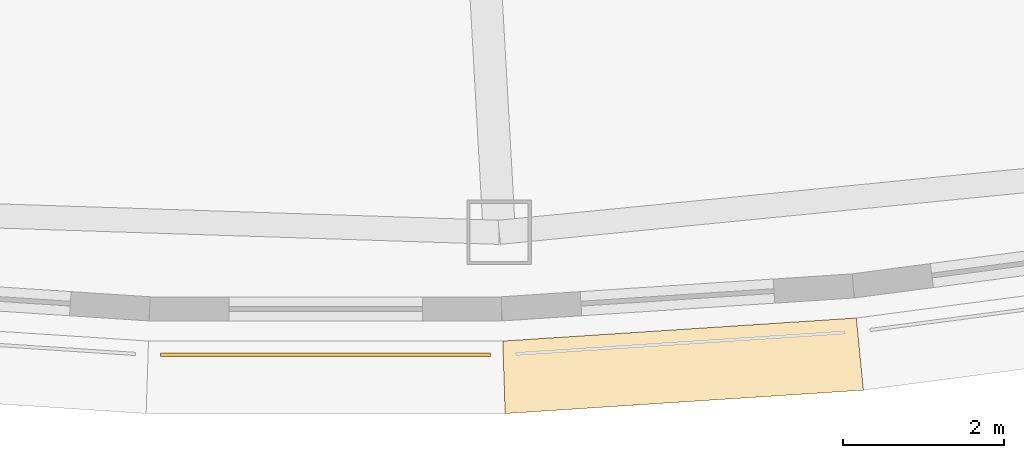
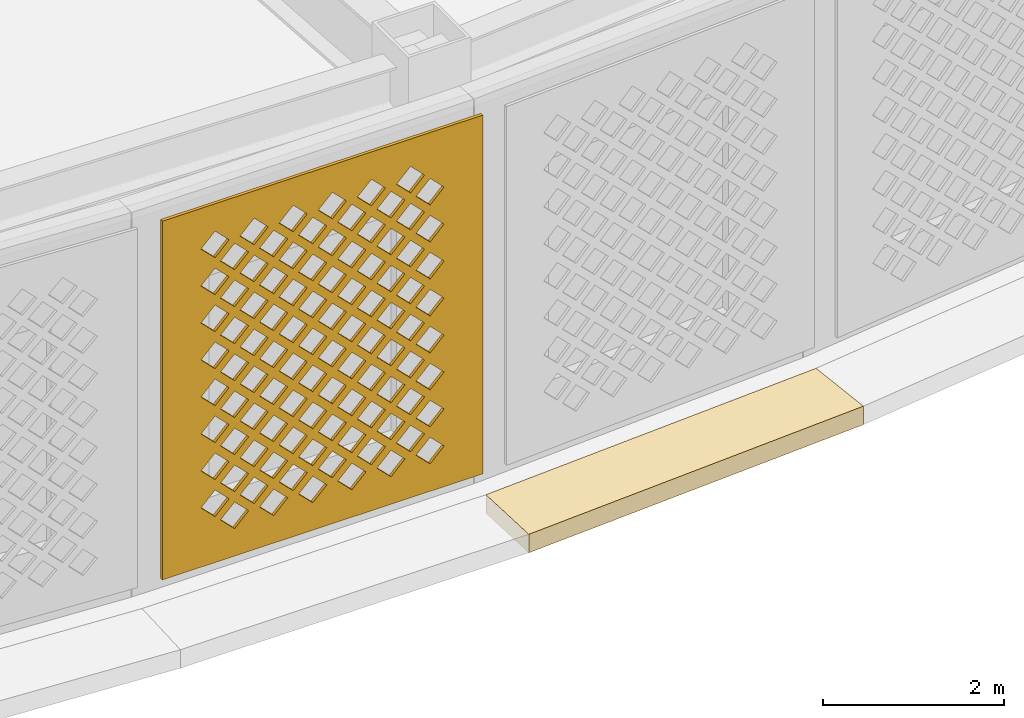
# One storey, part 47 of 63: 2 coverings.
"""IFC4 building model written with IfcOpenShell, lengths in metres."""

from ifc_helpers import new_model, si_unit, direction, frame, origin, place, context, subcontext, project, spatial, polyline, outline, extrude, material, layer, layer_set, type_object, element, save


model = new_model("IFC4")

# Units and contexts
model_context = context("Model", 3, precision=1e-05, world=origin(), true_north=direction((0.0, 1.0)))
body_context = subcontext(model_context, "Body", "Model", "MODEL_VIEW")
ifc_project = project(units=[si_unit("LENGTHUNIT", "METRE"), si_unit("AREAUNIT", "SQUARE_METRE"), si_unit("VOLUMEUNIT", "CUBIC_METRE"), si_unit("PLANEANGLEUNIT", "RADIAN"), si_unit("MASSUNIT", "GRAM", prefix="KILO")], contexts=[model_context])

# Site, building, storey
site_placement = place(None, origin())
site = spatial("IfcSite", under=ifc_project, at=site_placement, CompositionType="ELEMENT")
building_placement = place(site_placement, origin())
building = spatial("IfcBuilding", under=site, at=building_placement, Name="Noorbagh Ring Tower", CompositionType="ELEMENT")
storey_placement = place(building_placement, frame((0.0, 0.0, 25.0)))
storey = spatial("IfcBuildingStorey", under=building, at=storey_placement, Name="L04", CompositionType="ELEMENT", Elevation=25.0)

# Coverings
ifc_material_1 = material(Name="Red sandstone eave", Category="masonry")
covering_type_1 = type_object("IfcCoveringType", Name="STY-CHHAJJA", PredefinedType="USERDEFINED", material=ifc_material_1)
covering_1_placement = place(storey_placement, frame((0.0, 0.0, -0.25)))
element("IfcCovering", 1, at=covering_1_placement, inside=storey, type_object=covering_type_1, Name="Chhajja eave", ObjectType="CHHAJJA", PredefinedType="USERDEFINED", context=body_context, shape_type="SweptSolid", body=[
    extrude(outline(polyline([(2.198486328125, -39.964111328125), (6.586181640625, -39.677978515625), (6.67431640625, -40.573974609375), (2.227783203125, -40.8642578125), (2.198486328125, -39.964111328125)])), origin(), (0.0, 0.0, 1.0), 0.25),
])
ifc_material_2 = material(Name="Red sandstone jali", Category="masonry")
ifc_layer = layer(ifc_material_2, 0.0400390625)
ifc_layer_set = layer_set([ifc_layer], Name="Red sandstone jali")
covering_type_2 = type_object("IfcCoveringType", Name="STY-JALI", PredefinedType="USERDEFINED", material=ifc_layer_set)
covering_2_placement = place(storey_placement, frame((-2.048583984375, -40.154296875, 0.449951171875), z_axis=(0.0, -1.0, 0.0), x_axis=(1.0, 0.0, 0.0)))
element("IfcCovering", 2, at=covering_2_placement, inside=storey, type_object=covering_type_2, Name="Jali screen", ObjectType="SCREEN", PredefinedType="USERDEFINED", context=body_context, shape_type="SweptSolid", body=[
    extrude(outline(polyline([(0.0, 0.0), (4.09716796875, 0.0), (4.09716796875, 4.85009765625), (0.0, 4.85009765625), (0.0, 0.0)]), holes=[polyline([(0.743408203125, 0.550048828125), (0.923583984375, 0.3701171875), (1.103515625, 0.550048828125), (0.923583984375, 0.72998046875), (0.743408203125, 0.550048828125)]), polyline([(1.243408203125, 0.550048828125), (1.423583984375, 0.3701171875), (1.603515625, 0.550048828125), (1.423583984375, 0.72998046875), (1.243408203125, 0.550048828125)]), polyline([(1.743408203125, 0.550048828125), (1.923583984375, 0.3701171875), (2.103515625, 0.550048828125), (1.923583984375, 0.72998046875), (1.743408203125, 0.550048828125)]), polyline([(2.243408203125, 0.550048828125), (2.423583984375, 0.3701171875), (2.603515625, 0.550048828125), (2.423583984375, 0.72998046875), (2.243408203125, 0.550048828125)]), polyline([(2.743408203125, 0.550048828125), (2.923583984375, 0.3701171875), (3.103515625, 0.550048828125), (2.923583984375, 0.72998046875), (2.743408203125, 0.550048828125)]), polyline([(3.243408203125, 0.550048828125), (3.423583984375, 0.3701171875), (3.603515625, 0.550048828125), (3.423583984375, 0.72998046875), (3.243408203125, 0.550048828125)]), polyline([(0.493408203125, 0.800048828125), (0.673583984375, 0.6201171875), (0.853515625, 0.800048828125), (0.673583984375, 0.97998046875), (0.493408203125, 0.800048828125)]), polyline([(0.993408203125, 0.800048828125), (1.173583984375, 0.6201171875), (1.353515625, 0.800048828125), (1.173583984375, 0.97998046875), (0.993408203125, 0.800048828125)]), polyline([(1.493408203125, 0.800048828125), (1.673583984375, 0.6201171875), (1.853515625, 0.800048828125), (1.673583984375, 0.97998046875), (1.493408203125, 0.800048828125)]), polyline([(1.993408203125, 0.800048828125), (2.173583984375, 0.6201171875), (2.353515625, 0.800048828125), (2.173583984375, 0.97998046875), (1.993408203125, 0.800048828125)]), polyline([(2.493408203125, 0.800048828125), (2.673583984375, 0.6201171875), (2.853515625, 0.800048828125), (2.673583984375, 0.97998046875), (2.493408203125, 0.800048828125)]), polyline([(2.993408203125, 0.800048828125), (3.173583984375, 0.6201171875), (3.353515625, 0.800048828125), (3.173583984375, 0.97998046875), (2.993408203125, 0.800048828125)]), polyline([(0.743408203125, 1.050048828125), (0.923583984375, 0.8701171875), (1.103515625, 1.050048828125), (0.923583984375, 1.22998046875), (0.743408203125, 1.050048828125)]), polyline([(1.243408203125, 1.050048828125), (1.423583984375, 0.8701171875), (1.603515625, 1.050048828125), (1.423583984375, 1.22998046875), (1.243408203125, 1.050048828125)]), polyline([(1.743408203125, 1.050048828125), (1.923583984375, 0.8701171875), (2.103515625, 1.050048828125), (1.923583984375, 1.22998046875), (1.743408203125, 1.050048828125)]), polyline([(2.243408203125, 1.050048828125), (2.423583984375, 0.8701171875), (2.603515625, 1.050048828125), (2.423583984375, 1.22998046875), (2.243408203125, 1.050048828125)]), polyline([(2.743408203125, 1.050048828125), (2.923583984375, 0.8701171875), (3.103515625, 1.050048828125), (2.923583984375, 1.22998046875), (2.743408203125, 1.050048828125)]), polyline([(3.243408203125, 1.050048828125), (3.423583984375, 0.8701171875), (3.603515625, 1.050048828125), (3.423583984375, 1.22998046875), (3.243408203125, 1.050048828125)]), polyline([(0.493408203125, 1.300048828125), (0.673583984375, 1.1201171875), (0.853515625, 1.300048828125), (0.673583984375, 1.47998046875), (0.493408203125, 1.300048828125)]), polyline([(0.993408203125, 1.300048828125), (1.173583984375, 1.1201171875), (1.353515625, 1.300048828125), (1.173583984375, 1.47998046875), (0.993408203125, 1.300048828125)]), polyline([(1.493408203125, 1.300048828125), (1.673583984375, 1.1201171875), (1.853515625, 1.300048828125), (1.673583984375, 1.47998046875), (1.493408203125, 1.300048828125)]), polyline([(1.993408203125, 1.300048828125), (2.173583984375, 1.1201171875), (2.353515625, 1.300048828125), (2.173583984375, 1.47998046875), (1.993408203125, 1.300048828125)]), polyline([(2.493408203125, 1.300048828125), (2.673583984375, 1.1201171875), (2.853515625, 1.300048828125), (2.673583984375, 1.47998046875), (2.493408203125, 1.300048828125)]), polyline([(2.993408203125, 1.300048828125), (3.173583984375, 1.1201171875), (3.353515625, 1.300048828125), (3.173583984375, 1.47998046875), (2.993408203125, 1.300048828125)]), polyline([(0.743408203125, 1.550048828125), (0.923583984375, 1.3701171875), (1.103515625, 1.550048828125), (0.923583984375, 1.72998046875), (0.743408203125, 1.550048828125)]), polyline([(1.243408203125, 1.550048828125), (1.423583984375, 1.3701171875), (1.603515625, 1.550048828125), (1.423583984375, 1.72998046875), (1.243408203125, 1.550048828125)]), polyline([(1.743408203125, 1.550048828125), (1.923583984375, 1.3701171875), (2.103515625, 1.550048828125), (1.923583984375, 1.72998046875), (1.743408203125, 1.550048828125)]), polyline([(2.243408203125, 1.550048828125), (2.423583984375, 1.3701171875), (2.603515625, 1.550048828125), (2.423583984375, 1.72998046875), (2.243408203125, 1.550048828125)]), polyline([(2.743408203125, 1.550048828125), (2.923583984375, 1.3701171875), (3.103515625, 1.550048828125), (2.923583984375, 1.72998046875), (2.743408203125, 1.550048828125)]), polyline([(3.243408203125, 1.550048828125), (3.423583984375, 1.3701171875), (3.603515625, 1.550048828125), (3.423583984375, 1.72998046875), (3.243408203125, 1.550048828125)]), polyline([(0.493408203125, 1.800048828125), (0.673583984375, 1.6201171875), (0.853515625, 1.800048828125), (0.673583984375, 1.97998046875), (0.493408203125, 1.800048828125)]), polyline([(0.993408203125, 1.800048828125), (1.173583984375, 1.6201171875), (1.353515625, 1.800048828125), (1.173583984375, 1.97998046875), (0.993408203125, 1.800048828125)]), polyline([(1.493408203125, 1.800048828125), (1.673583984375, 1.6201171875), (1.853515625, 1.800048828125), (1.673583984375, 1.97998046875), (1.493408203125, 1.800048828125)]), polyline([(1.993408203125, 1.800048828125), (2.173583984375, 1.6201171875), (2.353515625, 1.800048828125), (2.173583984375, 1.97998046875), (1.993408203125, 1.800048828125)]), polyline([(2.493408203125, 1.800048828125), (2.673583984375, 1.6201171875), (2.853515625, 1.800048828125), (2.673583984375, 1.97998046875), (2.493408203125, 1.800048828125)]), polyline([(2.993408203125, 1.800048828125), (3.173583984375, 1.6201171875), (3.353515625, 1.800048828125), (3.173583984375, 1.97998046875), (2.993408203125, 1.800048828125)]), polyline([(0.743408203125, 2.050048828125), (0.923583984375, 1.8701171875), (1.103515625, 2.050048828125), (0.923583984375, 2.22998046875), (0.743408203125, 2.050048828125)]), polyline([(1.243408203125, 2.050048828125), (1.423583984375, 1.8701171875), (1.603515625, 2.050048828125), (1.423583984375, 2.22998046875), (1.243408203125, 2.050048828125)]), polyline([(1.743408203125, 2.050048828125), (1.923583984375, 1.8701171875), (2.103515625, 2.050048828125), (1.923583984375, 2.22998046875), (1.743408203125, 2.050048828125)]), polyline([(2.243408203125, 2.050048828125), (2.423583984375, 1.8701171875), (2.603515625, 2.050048828125), (2.423583984375, 2.22998046875), (2.243408203125, 2.050048828125)]), polyline([(2.743408203125, 2.050048828125), (2.923583984375, 1.8701171875), (3.103515625, 2.050048828125), (2.923583984375, 2.22998046875), (2.743408203125, 2.050048828125)]), polyline([(3.243408203125, 2.050048828125), (3.423583984375, 1.8701171875), (3.603515625, 2.050048828125), (3.423583984375, 2.22998046875), (3.243408203125, 2.050048828125)]), polyline([(0.493408203125, 2.300048828125), (0.673583984375, 2.1201171875), (0.853515625, 2.300048828125), (0.673583984375, 2.47998046875), (0.493408203125, 2.300048828125)]), polyline([(0.993408203125, 2.300048828125), (1.173583984375, 2.1201171875), (1.353515625, 2.300048828125), (1.173583984375, 2.47998046875), (0.993408203125, 2.300048828125)]), polyline([(1.493408203125, 2.300048828125), (1.673583984375, 2.1201171875), (1.853515625, 2.300048828125), (1.673583984375, 2.47998046875), (1.493408203125, 2.300048828125)]), polyline([(1.993408203125, 2.300048828125), (2.173583984375, 2.1201171875), (2.353515625, 2.300048828125), (2.173583984375, 2.47998046875), (1.993408203125, 2.300048828125)]), polyline([(2.493408203125, 2.300048828125), (2.673583984375, 2.1201171875), (2.853515625, 2.300048828125), (2.673583984375, 2.47998046875), (2.493408203125, 2.300048828125)]), polyline([(2.993408203125, 2.300048828125), (3.173583984375, 2.1201171875), (3.353515625, 2.300048828125), (3.173583984375, 2.47998046875), (2.993408203125, 2.300048828125)]), polyline([(0.743408203125, 2.550048828125), (0.923583984375, 2.3701171875), (1.103515625, 2.550048828125), (0.923583984375, 2.72998046875), (0.743408203125, 2.550048828125)]), polyline([(1.243408203125, 2.550048828125), (1.423583984375, 2.3701171875), (1.603515625, 2.550048828125), (1.423583984375, 2.72998046875), (1.243408203125, 2.550048828125)]), polyline([(1.743408203125, 2.550048828125), (1.923583984375, 2.3701171875), (2.103515625, 2.550048828125), (1.923583984375, 2.72998046875), (1.743408203125, 2.550048828125)]), polyline([(2.243408203125, 2.550048828125), (2.423583984375, 2.3701171875), (2.603515625, 2.550048828125), (2.423583984375, 2.72998046875), (2.243408203125, 2.550048828125)]), polyline([(2.743408203125, 2.550048828125), (2.923583984375, 2.3701171875), (3.103515625, 2.550048828125), (2.923583984375, 2.72998046875), (2.743408203125, 2.550048828125)]), polyline([(3.243408203125, 2.550048828125), (3.423583984375, 2.3701171875), (3.603515625, 2.550048828125), (3.423583984375, 2.72998046875), (3.243408203125, 2.550048828125)]), polyline([(0.493408203125, 2.800048828125), (0.673583984375, 2.6201171875), (0.853515625, 2.800048828125), (0.673583984375, 2.97998046875), (0.493408203125, 2.800048828125)]), polyline([(0.993408203125, 2.800048828125), (1.173583984375, 2.6201171875), (1.353515625, 2.800048828125), (1.173583984375, 2.97998046875), (0.993408203125, 2.800048828125)]), polyline([(1.493408203125, 2.800048828125), (1.673583984375, 2.6201171875), (1.853515625, 2.800048828125), (1.673583984375, 2.97998046875), (1.493408203125, 2.800048828125)]), polyline([(1.993408203125, 2.800048828125), (2.173583984375, 2.6201171875), (2.353515625, 2.800048828125), (2.173583984375, 2.97998046875), (1.993408203125, 2.800048828125)]), polyline([(2.493408203125, 2.800048828125), (2.673583984375, 2.6201171875), (2.853515625, 2.800048828125), (2.673583984375, 2.97998046875), (2.493408203125, 2.800048828125)]), polyline([(2.993408203125, 2.800048828125), (3.173583984375, 2.6201171875), (3.353515625, 2.800048828125), (3.173583984375, 2.97998046875), (2.993408203125, 2.800048828125)]), polyline([(0.743408203125, 3.050048828125), (0.923583984375, 2.8701171875), (1.103515625, 3.050048828125), (0.923583984375, 3.22998046875), (0.743408203125, 3.050048828125)]), polyline([(1.243408203125, 3.050048828125), (1.423583984375, 2.8701171875), (1.603515625, 3.050048828125), (1.423583984375, 3.22998046875), (1.243408203125, 3.050048828125)]), polyline([(1.743408203125, 3.050048828125), (1.923583984375, 2.8701171875), (2.103515625, 3.050048828125), (1.923583984375, 3.22998046875), (1.743408203125, 3.050048828125)]), polyline([(2.243408203125, 3.050048828125), (2.423583984375, 2.8701171875), (2.603515625, 3.050048828125), (2.423583984375, 3.22998046875), (2.243408203125, 3.050048828125)]), polyline([(2.743408203125, 3.050048828125), (2.923583984375, 2.8701171875), (3.103515625, 3.050048828125), (2.923583984375, 3.22998046875), (2.743408203125, 3.050048828125)]), polyline([(3.243408203125, 3.050048828125), (3.423583984375, 2.8701171875), (3.603515625, 3.050048828125), (3.423583984375, 3.22998046875), (3.243408203125, 3.050048828125)]), polyline([(0.493408203125, 3.300048828125), (0.673583984375, 3.1201171875), (0.853515625, 3.300048828125), (0.673583984375, 3.47998046875), (0.493408203125, 3.300048828125)]), polyline([(0.993408203125, 3.300048828125), (1.173583984375, 3.1201171875), (1.353515625, 3.300048828125), (1.173583984375, 3.47998046875), (0.993408203125, 3.300048828125)]), polyline([(1.493408203125, 3.300048828125), (1.673583984375, 3.1201171875), (1.853515625, 3.300048828125), (1.673583984375, 3.47998046875), (1.493408203125, 3.300048828125)]), polyline([(1.993408203125, 3.300048828125), (2.173583984375, 3.1201171875), (2.353515625, 3.300048828125), (2.173583984375, 3.47998046875), (1.993408203125, 3.300048828125)]), polyline([(2.493408203125, 3.300048828125), (2.673583984375, 3.1201171875), (2.853515625, 3.300048828125), (2.673583984375, 3.47998046875), (2.493408203125, 3.300048828125)]), polyline([(2.993408203125, 3.300048828125), (3.173583984375, 3.1201171875), (3.353515625, 3.300048828125), (3.173583984375, 3.47998046875), (2.993408203125, 3.300048828125)]), polyline([(0.743408203125, 3.550048828125), (0.923583984375, 3.3701171875), (1.103515625, 3.550048828125), (0.923583984375, 3.72998046875), (0.743408203125, 3.550048828125)]), polyline([(1.243408203125, 3.550048828125), (1.423583984375, 3.3701171875), (1.603515625, 3.550048828125), (1.423583984375, 3.72998046875), (1.243408203125, 3.550048828125)]), polyline([(1.743408203125, 3.550048828125), (1.923583984375, 3.3701171875), (2.103515625, 3.550048828125), (1.923583984375, 3.72998046875), (1.743408203125, 3.550048828125)]), polyline([(2.243408203125, 3.550048828125), (2.423583984375, 3.3701171875), (2.603515625, 3.550048828125), (2.423583984375, 3.72998046875), (2.243408203125, 3.550048828125)]), polyline([(2.743408203125, 3.550048828125), (2.923583984375, 3.3701171875), (3.103515625, 3.550048828125), (2.923583984375, 3.72998046875), (2.743408203125, 3.550048828125)]), polyline([(3.243408203125, 3.550048828125), (3.423583984375, 3.3701171875), (3.603515625, 3.550048828125), (3.423583984375, 3.72998046875), (3.243408203125, 3.550048828125)]), polyline([(0.493408203125, 3.800048828125), (0.673583984375, 3.6201171875), (0.853515625, 3.800048828125), (0.673583984375, 3.97998046875), (0.493408203125, 3.800048828125)]), polyline([(0.993408203125, 3.800048828125), (1.173583984375, 3.6201171875), (1.353515625, 3.800048828125), (1.173583984375, 3.97998046875), (0.993408203125, 3.800048828125)]), polyline([(1.493408203125, 3.800048828125), (1.673583984375, 3.6201171875), (1.853515625, 3.800048828125), (1.673583984375, 3.97998046875), (1.493408203125, 3.800048828125)]), polyline([(1.993408203125, 3.800048828125), (2.173583984375, 3.6201171875), (2.353515625, 3.800048828125), (2.173583984375, 3.97998046875), (1.993408203125, 3.800048828125)]), polyline([(2.493408203125, 3.800048828125), (2.673583984375, 3.6201171875), (2.853515625, 3.800048828125), (2.673583984375, 3.97998046875), (2.493408203125, 3.800048828125)]), polyline([(2.993408203125, 3.800048828125), (3.173583984375, 3.6201171875), (3.353515625, 3.800048828125), (3.173583984375, 3.97998046875), (2.993408203125, 3.800048828125)]), polyline([(0.743408203125, 4.050048828125), (0.923583984375, 3.8701171875), (1.103515625, 4.050048828125), (0.923583984375, 4.22998046875), (0.743408203125, 4.050048828125)]), polyline([(1.243408203125, 4.050048828125), (1.423583984375, 3.8701171875), (1.603515625, 4.050048828125), (1.423583984375, 4.22998046875), (1.243408203125, 4.050048828125)]), polyline([(1.743408203125, 4.050048828125), (1.923583984375, 3.8701171875), (2.103515625, 4.050048828125), (1.923583984375, 4.22998046875), (1.743408203125, 4.050048828125)]), polyline([(2.243408203125, 4.050048828125), (2.423583984375, 3.8701171875), (2.603515625, 4.050048828125), (2.423583984375, 4.22998046875), (2.243408203125, 4.050048828125)]), polyline([(2.743408203125, 4.050048828125), (2.923583984375, 3.8701171875), (3.103515625, 4.050048828125), (2.923583984375, 4.22998046875), (2.743408203125, 4.050048828125)]), polyline([(3.243408203125, 4.050048828125), (3.423583984375, 3.8701171875), (3.603515625, 4.050048828125), (3.423583984375, 4.22998046875), (3.243408203125, 4.050048828125)]), polyline([(0.493408203125, 4.300048828125), (0.673583984375, 4.1201171875), (0.853515625, 4.300048828125), (0.673583984375, 4.47998046875), (0.493408203125, 4.300048828125)]), polyline([(0.993408203125, 4.300048828125), (1.173583984375, 4.1201171875), (1.353515625, 4.300048828125), (1.173583984375, 4.47998046875), (0.993408203125, 4.300048828125)]), polyline([(1.493408203125, 4.300048828125), (1.673583984375, 4.1201171875), (1.853515625, 4.300048828125), (1.673583984375, 4.47998046875), (1.493408203125, 4.300048828125)]), polyline([(1.993408203125, 4.300048828125), (2.173583984375, 4.1201171875), (2.353515625, 4.300048828125), (2.173583984375, 4.47998046875), (1.993408203125, 4.300048828125)]), polyline([(2.493408203125, 4.300048828125), (2.673583984375, 4.1201171875), (2.853515625, 4.300048828125), (2.673583984375, 4.47998046875), (2.493408203125, 4.300048828125)]), polyline([(2.993408203125, 4.300048828125), (3.173583984375, 4.1201171875), (3.353515625, 4.300048828125), (3.173583984375, 4.47998046875), (2.993408203125, 4.300048828125)])]), origin(), (0.0, 0.0, -1.0), 0.0400390625),
])

save(model, "model.ifc")
